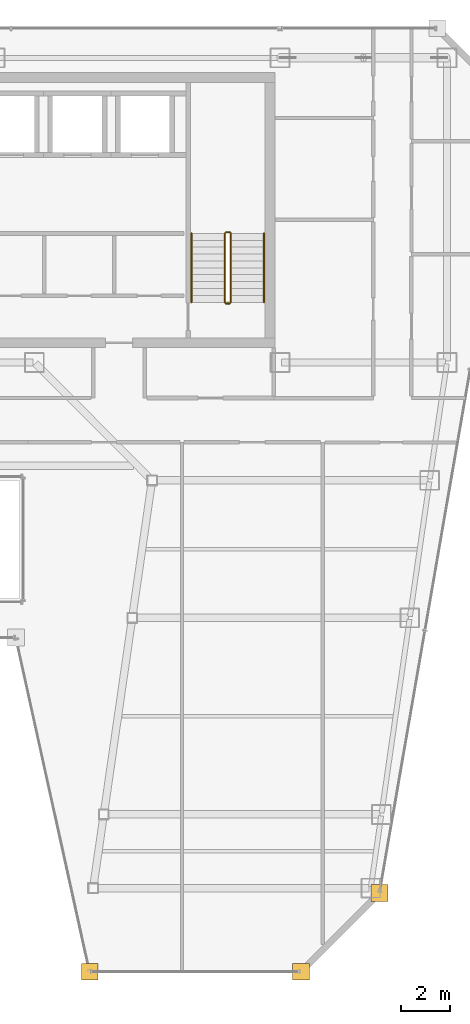
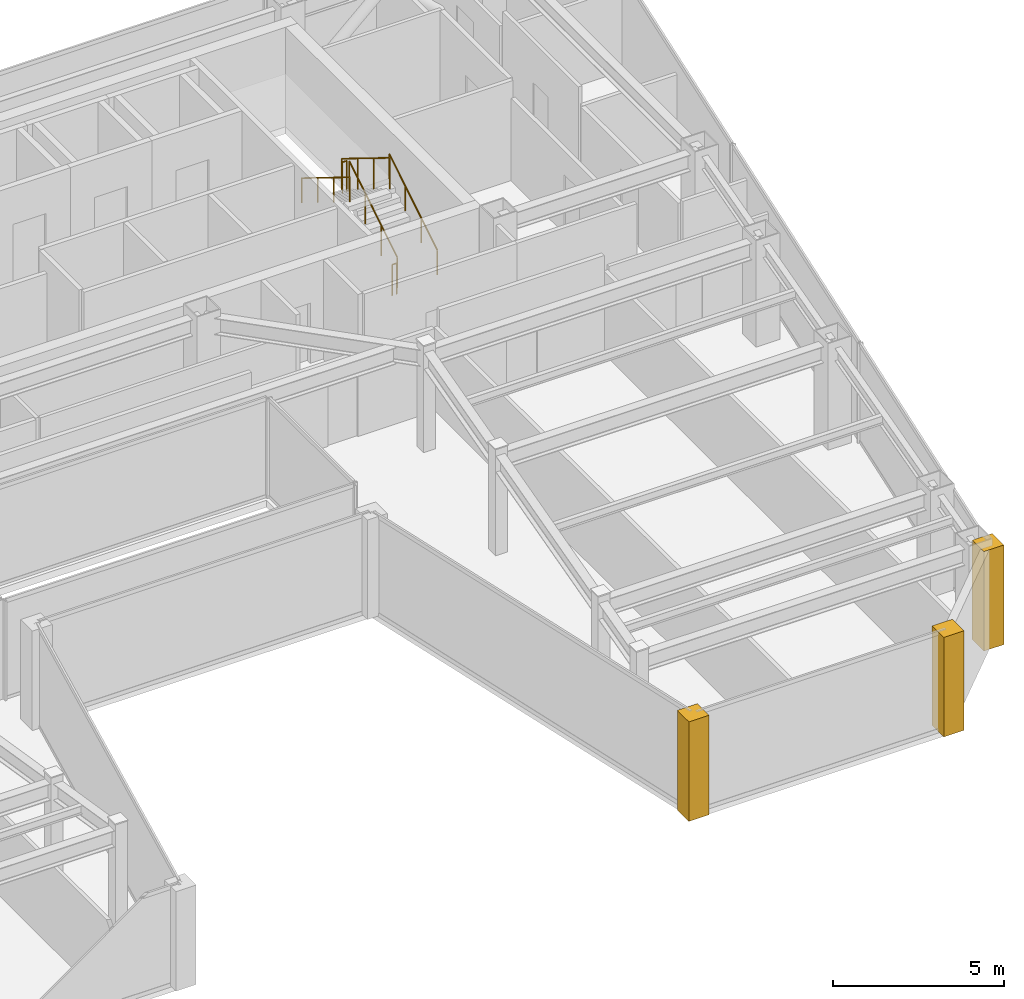
# One storey, part 32 of 33: 6 railings, 3 coverings.
"""IFC4 building model written with IfcOpenShell, lengths in metres."""

from ifc_helpers import new_model, si_unit, direction, frame, origin, origin_2d, place, context, subcontext, project, spatial, polyline, circle, outline, extrude, material, layer, layer_set, type_object, element, save


model = new_model("IFC4")

# Units and contexts
model_context = context("Model", 3, precision=1e-05, world=origin(), true_north=direction((0.0, 1.0)))
body_context = subcontext(model_context, "Body", "Model", "MODEL_VIEW")
ifc_project = project(units=[si_unit("LENGTHUNIT", "METRE"), si_unit("AREAUNIT", "SQUARE_METRE"), si_unit("VOLUMEUNIT", "CUBIC_METRE"), si_unit("PLANEANGLEUNIT", "RADIAN"), si_unit("MASSUNIT", "GRAM", prefix="KILO")], contexts=[model_context])

# Site, building, storey
site_placement = place(None, origin())
site = spatial("IfcSite", under=ifc_project, at=site_placement, CompositionType="ELEMENT")
building_placement = place(site_placement, origin())
building = spatial("IfcBuilding", under=site, at=building_placement, Name="Saevonmaru Cultural Tower", CompositionType="ELEMENT")
storey_placement = place(building_placement, frame((0.0, 0.0, 234.39990234375)))
storey = spatial("IfcBuildingStorey", under=building, at=storey_placement, Name="L54", CompositionType="ELEMENT", Elevation=234.39990234375)

# Coverings
ifc_material_1 = material(Name="Satin Bronze Anodised Aluminium", Category="aluminium")
ifc_layer = layer(ifc_material_1, 0.679931640625, Name="Satin Bronze Anodised Aluminium")
ifc_layer_set = layer_set([ifc_layer], Name="Satin Bronze Anodised Aluminium")
covering_type = type_object("IfcCoveringType", Name="CV-CORNER-CLAD", PredefinedType="CLADDING", material=ifc_layer_set)
covering_1_placement = place(storey_placement, origin())
element("IfcCovering", 1, at=covering_1_placement, inside=storey, type_object=covering_type, Name="L54 Tower Bronze Corner Cladding Pier 6", PredefinedType="CLADDING", context=body_context, shape_type="SweptSolid", body=[
    extrude(outline(polyline([(38.31298828125, 17.260009765625), (38.992919921875, 17.260009765625), (38.992919921875, 17.93994140625), (38.31298828125, 17.93994140625), (38.31298828125, 17.260009765625)])), origin(), (0.0, 0.0, 1.0), 3.550048828125),
])
covering_2_placement = place(storey_placement, origin())
element("IfcCovering", 2, at=covering_2_placement, inside=storey, type_object=covering_type, Name="L54 Tower Bronze Corner Cladding Pier 7", PredefinedType="CLADDING", context=body_context, shape_type="SweptSolid", body=[
    extrude(outline(polyline([(46.9130859375, 17.260009765625), (47.593017578125, 17.260009765625), (47.593017578125, 17.93994140625), (46.9130859375, 17.93994140625), (46.9130859375, 17.260009765625)])), origin(), (0.0, 0.0, 1.0), 3.550048828125),
])
covering_3_placement = place(storey_placement, origin())
element("IfcCovering", 3, at=covering_3_placement, inside=storey, type_object=covering_type, Name="L54 Tower Bronze Corner Cladding Pier 8", PredefinedType="CLADDING", context=body_context, shape_type="SweptSolid", body=[
    extrude(outline(polyline([(50.113037109375, 20.4599609375), (50.79296875, 20.4599609375), (50.79296875, 21.139892578125), (50.113037109375, 21.139892578125), (50.113037109375, 20.4599609375)])), origin(), (0.0, 0.0, 1.0), 3.550048828125),
])

# Railings
ifc_material_2 = material(Name="Architectural Painted Steel", Category="steel")
railing_type_1 = type_object("IfcRailingType", Name="RL-STAIR-GUARD", PredefinedType="GUARDRAIL", material=ifc_material_2)
railing_1_placement = place(storey_placement, frame((44.39990234375, 44.85009765625, 0.1728515625)))
element("IfcRailing", 4, at=railing_1_placement, inside=storey, type_object=railing_type_1, Name="L54 ST-2 stair guard 1", PredefinedType="GUARDRAIL", context=body_context, shape_type="SweptSolid", body=[
    extrude(circle(Radius=0.02392578125, at=origin_2d()), frame((0.0, 0.0, 1.09619140625), z_axis=(0.0, 0.851069175582, 0.525053576669), x_axis=(-1.0, 0.0, 0.0)), (0.0, 0.0, 1.0), 3.289794921875),
    extrude(circle(Radius=0.02099609375, at=origin_2d()), origin(), (0.0, 0.0, 1.0), 1.072021484375),
    extrude(circle(Radius=0.02099609375, at=origin_2d()), frame((0.0, 0.933349609375, 0.57568359375)), (0.0, 0.0, 1.0), 1.072021484375),
    extrude(circle(Radius=0.02099609375, at=origin_2d()), frame((0.0, 1.866455078125, 1.151611328125)), (0.0, 0.0, 1.0), 1.072021484375),
    extrude(circle(Radius=0.02099609375, at=origin_2d()), frame((0.0, 2.7998046875, 1.727294921875)), (0.0, 0.0, 1.0), 1.072021484375),
])
railing_2_placement = place(storey_placement, frame((44.35009765625, 47.699951171875, 1.900146484375)))
element("IfcRailing", 5, at=railing_2_placement, inside=storey, type_object=railing_type_1, Name="L54 ST-2 stair guard 2", PredefinedType="GUARDRAIL", context=body_context, shape_type="SweptSolid", body=[
    extrude(circle(Radius=0.02392578125, at=origin_2d()), frame((0.0, 0.0, 1.09619140625), z_axis=(-1.0, 0.0, 0.0), x_axis=(0.0, -1.0, 0.0)), (0.0, 0.0, 1.0), 0.150146484375),
    extrude(circle(Radius=0.02099609375, at=origin_2d()), origin(), (0.0, 0.0, 1.0), 1.072021484375),
    extrude(circle(Radius=0.02099609375, at=origin_2d()), frame((-0.150146484375, 0.0, 0.0)), (0.0, 0.0, 1.0), 1.072021484375),
])
railing_3_placement = place(storey_placement, frame((44.14990234375, 47.64990234375, 2.07275390625)))
element("IfcRailing", 6, at=railing_3_placement, inside=storey, type_object=railing_type_1, Name="L54 ST-2 stair guard 3", PredefinedType="GUARDRAIL", context=body_context, shape_type="SweptSolid", body=[
    extrude(circle(Radius=0.02392578125, at=origin_2d()), frame((0.0, 0.0, 1.09619140625), z_axis=(0.0, -0.851069175582, 0.525053576669), x_axis=(1.0, 0.0, 0.0)), (0.0, 0.0, 1.0), 3.289794921875),
    extrude(circle(Radius=0.02099609375, at=origin_2d()), origin(), (0.0, 0.0, 1.0), 1.072021484375),
    extrude(circle(Radius=0.02099609375, at=origin_2d()), frame((0.0, -0.933349609375, 0.57568359375)), (0.0, 0.0, 1.0), 1.072021484375),
    extrude(circle(Radius=0.02099609375, at=origin_2d()), frame((0.0, -1.866455078125, 1.151611328125)), (0.0, 0.0, 1.0), 1.072021484375),
    extrude(circle(Radius=0.02099609375, at=origin_2d()), frame((0.0, -2.7998046875, 1.727294921875)), (0.0, 0.0, 1.0), 1.072021484375),
])
railing_4_placement = place(storey_placement, frame((44.35009765625, 44.800048828125, 0.0)))
element("IfcRailing", 7, at=railing_4_placement, inside=storey, type_object=railing_type_1, Name="L54 ST-2 stair guard 4", PredefinedType="GUARDRAIL", context=body_context, shape_type="SweptSolid", body=[
    extrude(circle(Radius=0.02392578125, at=origin_2d()), frame((0.0, 0.0, 1.09619140625), z_axis=(-1.0, 0.0, 0.0), x_axis=(0.0, -1.0, 0.0)), (0.0, 0.0, 1.0), 0.150146484375),
    extrude(circle(Radius=0.02099609375, at=origin_2d()), origin(), (0.0, 0.0, 1.0), 1.072021484375),
    extrude(circle(Radius=0.02099609375, at=origin_2d()), frame((-0.150146484375, 0.0, 0.0)), (0.0, 0.0, 1.0), 1.072021484375),
])
railing_type_2 = type_object("IfcRailingType", Name="RL-STAIR-HANDRAIL", PredefinedType="HANDRAIL", material=ifc_material_1)
railing_5_placement = place(storey_placement, frame((45.75, 44.85009765625, 0.1728515625)))
element("IfcRailing", 8, at=railing_5_placement, inside=storey, type_object=railing_type_2, Name="L54 ST-2 stair handrail 1", PredefinedType="HANDRAIL", context=body_context, shape_type="SweptSolid", body=[
    extrude(circle(Radius=0.02392578125, at=origin_2d()), frame((0.0, 0.0, 0.8759765625), z_axis=(0.0, 0.851069175582, 0.525053576669), x_axis=(-1.0, 0.0, 0.0)), (0.0, 0.0, 1.0), 3.289794921875),
    extrude(circle(Radius=0.02099609375, at=origin_2d()), origin(), (0.0, 0.0, 1.0), 0.851806640625),
    extrude(circle(Radius=0.02099609375, at=origin_2d()), frame((0.0, 0.933349609375, 0.57568359375)), (0.0, 0.0, 1.0), 0.851806640625),
    extrude(circle(Radius=0.02099609375, at=origin_2d()), frame((0.0, 1.866455078125, 1.151611328125)), (0.0, 0.0, 1.0), 0.851806640625),
    extrude(circle(Radius=0.02099609375, at=origin_2d()), frame((0.0, 2.7998046875, 1.727294921875)), (0.0, 0.0, 1.0), 0.851806640625),
])
railing_6_placement = place(storey_placement, frame((42.800048828125, 47.64990234375, 2.07275390625)))
element("IfcRailing", 9, at=railing_6_placement, inside=storey, type_object=railing_type_2, Name="L54 ST-2 stair handrail 2", PredefinedType="HANDRAIL", context=body_context, shape_type="SweptSolid", body=[
    extrude(circle(Radius=0.02392578125, at=origin_2d()), frame((0.0, 0.0, 0.8759765625), z_axis=(0.0, -0.851069175582, 0.525053576669), x_axis=(1.0, 0.0, 0.0)), (0.0, 0.0, 1.0), 3.289794921875),
    extrude(circle(Radius=0.02099609375, at=origin_2d()), origin(), (0.0, 0.0, 1.0), 0.851806640625),
    extrude(circle(Radius=0.02099609375, at=origin_2d()), frame((0.0, -0.933349609375, 0.57568359375)), (0.0, 0.0, 1.0), 0.851806640625),
    extrude(circle(Radius=0.02099609375, at=origin_2d()), frame((0.0, -1.866455078125, 1.151611328125)), (0.0, 0.0, 1.0), 0.851806640625),
    extrude(circle(Radius=0.02099609375, at=origin_2d()), frame((0.0, -2.7998046875, 1.727294921875)), (0.0, 0.0, 1.0), 0.851806640625),
])

save(model, "model.ifc")
